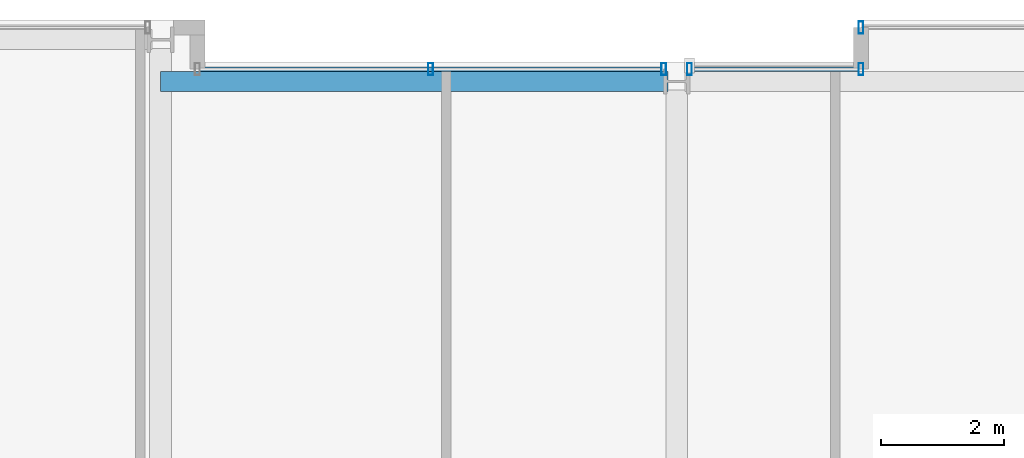
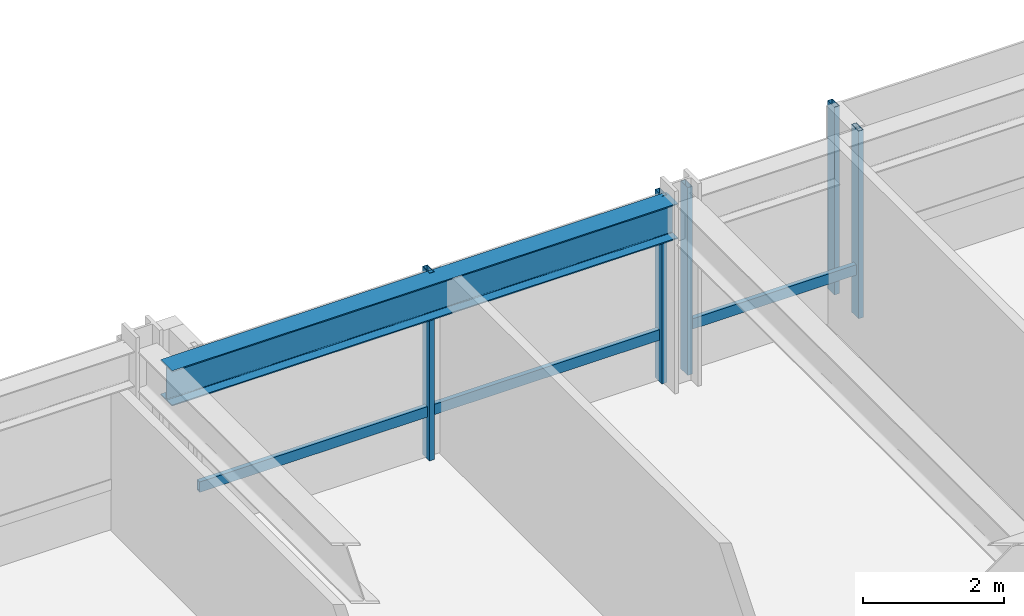
# One storey, part 22 of 35: 7 members, 1 beam, 3 elements without a shape of their own.
"""IFC4 building model written with IfcOpenShell, lengths in metres."""

import ifcopenshell
import ifcopenshell.guid

model = None  # the IFC model being written
_history = None  # IfcOwnerHistory: only IFC2X3 demands one
_inside = {}  # id of a spatial element -> (the spatial element, [elements in it])
_under = {}  # id of a project, library or spatial element -> (it, [spatial elements below it])
_declared = {}  # id of a project -> (the project, [libraries it declares])
_typed = {}  # id of a type object -> (the type object, [elements of that type])
_made_of = {}  # id of a material, layer set ... -> (it, [elements and type objects made of it])


def new_model(schema):
    """Start an empty IFC model of exactly this schema.

    Asked for "IFC4X3", IfcOpenShell would pick the latest addendum, in which some entities
    have other attributes; the version numbers below select the first issue.
    IFC2X3 requires an IfcOwnerHistory on every rooted entity: one is made here for all.
    """
    global model, _history
    if schema == "IFC4X3":
        model = ifcopenshell.file(schema_version=(4, 3, 0, 0))
    else:
        model = ifcopenshell.file(schema=schema)
    _inside.clear()
    _under.clear()
    _declared.clear()
    _typed.clear()
    _made_of.clear()
    _history = None
    if model.schema == "IFC2X3":
        org = make("IfcOrganization", Name="unknown")
        user = make(
            "IfcPersonAndOrganization",
            ThePerson=make("IfcPerson", FamilyName="unknown"),
            TheOrganization=org,
        )
        app = make(
            "IfcApplication",
            ApplicationDeveloper=org,
            Version="unknown",
            ApplicationFullName="unknown",
            ApplicationIdentifier="unknown",
        )
        _history = make(
            "IfcOwnerHistory",
            OwningUser=user,
            OwningApplication=app,
            ChangeAction="ADDED",
            CreationDate=0,
        )
    return model


def make(cls, **values):
    """One entity of the class cls with the attributes given. An attribute that is None is left unset."""
    return model.create_entity(
        cls, **{name: value for name, value in values.items() if value is not None}
    )


def rooted(cls, **values):
    """An entity with a GlobalId (a new one), such as an element, a storey or a relation."""
    return make(cls, GlobalId=ifcopenshell.guid.new(), OwnerHistory=_history, **values)


def si_unit(unit_type, name, prefix=None):
    """IfcSIUnit, for example si_unit("LENGTHUNIT", "METRE", prefix="MILLI")."""
    return make("IfcSIUnit", UnitType=unit_type, Prefix=prefix, Name=name)


def assignment(units):
    """IfcUnitAssignment: the units of a project."""
    return None if units is None else make("IfcUnitAssignment", Units=units)


def point(xyz):
    """IfcCartesianPoint."""
    return None if xyz is None else make("IfcCartesianPoint", Coordinates=xyz)


def direction(xyz):
    """IfcDirection."""
    return None if xyz is None else make("IfcDirection", DirectionRatios=xyz)


def frame(location, z_axis=None, x_axis=None):
    """IfcAxis2Placement3D, a coordinate frame: its origin and axes. An axis left out is left unset."""
    return make(
        "IfcAxis2Placement3D",
        Location=point(location),
        Axis=direction(z_axis),
        RefDirection=direction(x_axis),
    )


def frame_2d(location, x_axis=None):
    """IfcAxis2Placement2D, a coordinate frame in the plane: its origin and x axis."""
    return make(
        "IfcAxis2Placement2D", Location=point(location), RefDirection=direction(x_axis)
    )


def origin():
    """The frame at (0, 0, 0) with its axes left unset."""
    return frame((0.0, 0.0, 0.0))


def origin_2d():
    """The frame at (0, 0) in the plane with its x axis left unset."""
    return frame_2d((0.0, 0.0))


def place(relative_to, where):
    """IfcLocalPlacement: puts the frame where relative to a parent placement (None: the world)."""
    return make(
        "IfcLocalPlacement", PlacementRelTo=relative_to, RelativePlacement=where
    )


def context(
    kind, dimensions, precision=None, world=None, true_north=None, identifier=None
):
    """IfcGeometricRepresentationContext, for example the 3D "Model" context."""
    return make(
        "IfcGeometricRepresentationContext",
        ContextIdentifier=identifier,
        ContextType=kind,
        CoordinateSpaceDimension=dimensions,
        Precision=precision,
        WorldCoordinateSystem=world,
        TrueNorth=true_north,
    )


def subcontext(parent, identifier, kind, view, scale=None):
    """IfcGeometricRepresentationSubContext, for example "Body" below "Model"."""
    return make(
        "IfcGeometricRepresentationSubContext",
        ContextIdentifier=identifier,
        ContextType=kind,
        ParentContext=parent,
        TargetScale=scale,
        TargetView=view,
    )


def project(units=None, contexts=None):
    """IfcProject with its units and contexts."""
    return rooted(
        "IfcProject",
        Name="project",
        RepresentationContexts=contexts,
        UnitsInContext=assignment(units),
    )


def spatial(cls, under=None, at=None, **own):
    """A site, building, storey or space (cls), placed at a placement, below another one or the project."""
    s = rooted(cls, ObjectPlacement=at, **own)
    if under is not None:
        _under.setdefault(under.id(), (under, []))[1].append(s)
    return s


def profile(cls, at=None, kind="AREA", **sizes):
    """A parametric profile (cls). Its sizes go by their IFC names, for example OverallWidth=200.0."""
    return make(cls, ProfileType=kind, Position=at, **sizes)


def hollow_rectangle(**sizes):
    """IfcRectangleHollowProfileDef."""
    return profile("IfcRectangleHollowProfileDef", **sizes)


def i_section(**sizes):
    """IfcIShapeProfileDef."""
    return profile("IfcIShapeProfileDef", **sizes)


def extrude(swept, where, along, depth):
    """IfcExtrudedAreaSolid: the profile swept, set in the frame where, extruded along a direction by depth."""
    return make(
        "IfcExtrudedAreaSolid",
        SweptArea=swept,
        Position=where,
        ExtrudedDirection=direction(along),
        Depth=depth,
    )


def shape(context_of_items, identifier, shape_type, items):
    """IfcShapeRepresentation: the items that make up one representation, for example the "Body"."""
    return make(
        "IfcShapeRepresentation",
        ContextOfItems=context_of_items,
        RepresentationIdentifier=identifier,
        RepresentationType=shape_type,
        Items=items,
    )


def material(Name=None, Category=None):
    """IfcMaterial."""
    return make("IfcMaterial", Name=Name, Category=Category)


def layer(
    of_material, thickness, ventilated=None, Name=None, Category=None, Priority=None
):
    """IfcMaterialLayer: one layer of a wall or slab, of a material (None: an air gap)."""
    return make(
        "IfcMaterialLayer",
        Material=of_material,
        LayerThickness=thickness,
        IsVentilated=ventilated,
        Name=Name,
        Category=Category,
        Priority=Priority,
    )


def layer_set(layers, Name=None):
    """IfcMaterialLayerSet."""
    return make("IfcMaterialLayerSet", MaterialLayers=layers, LayerSetName=Name)


def material_profile(
    of_material, cross_section, Name=None, Category=None, Priority=None
):
    """IfcMaterialProfile: a cross section and its material."""
    return make(
        "IfcMaterialProfile",
        Name=Name,
        Material=of_material,
        Profile=cross_section,
        Priority=Priority,
        Category=Category,
    )


def profile_set(profiles, Name=None, composite=None):
    """IfcMaterialProfileSet."""
    return make(
        "IfcMaterialProfileSet",
        Name=Name,
        MaterialProfiles=profiles,
        CompositeProfile=composite,
    )


def made_of(thing, what):
    """Note that an element or type object is made of a material, layer set ...; save() writes the relation."""
    if what is not None:
        _made_of.setdefault(what.id(), (what, []))[1].append(thing)
    return thing


def type_object(cls, material=None, **own):
    """A type object (cls), such as IfcWallType, which elements share."""
    return made_of(rooted(cls, **own), material)


def element(
    cls,
    number,
    at=None,
    inside=None,
    cuts=None,
    type_object=None,
    material=None,
    context=None,
    identifier="Body",
    shape_type=None,
    held_by="IfcProductDefinitionShape",
    body=None,
    shapes=None,
    **own,
):
    """One element of the class cls, such as IfcWall. Its Tag is "e" and its number.

    at: its placement. inside: the storey or other place that contains it. cuts: it is an
    opening in that element (IfcRelVoidsElement). A single representation is given by context,
    identifier, shape_type and body (its items); several are given by shapes. held_by: the class
    of the entity that holds the representations. save() writes the other relations.
    """
    e = rooted(cls, Tag="e%d" % number, ObjectPlacement=at, **own)
    if body is not None:
        shapes = [shape(context, identifier, shape_type, body)]
    if shapes is not None:
        e.Representation = make(held_by, Representations=shapes)
    if inside is not None:
        _inside.setdefault(inside.id(), (inside, []))[1].append(e)
    if cuts is not None:
        rooted(
            "IfcRelVoidsElement", RelatingBuildingElement=cuts, RelatedOpeningElement=e
        )
    if type_object is not None:
        _typed.setdefault(type_object.id(), (type_object, []))[1].append(e)
    return made_of(e, material)


def aggregate(whole, parts):
    """IfcRelAggregates: a whole, such as a stair, and the parts it consists of."""
    return rooted("IfcRelAggregates", RelatingObject=whole, RelatedObjects=parts)


def save(model, path):
    """Write the relations noted so far, then the file.

    IfcRelAggregates (storeys below a building ...), IfcRelContainedInSpatialStructure (elements
    in a storey), IfcRelDefinesByType, IfcRelAssociatesMaterial and IfcRelDeclares: one each for
    every whole, place, type object, material and project.
    """
    for whole, parts in _under.values():
        aggregate(whole, parts)
    for where, things in _inside.values():
        rooted(
            "IfcRelContainedInSpatialStructure",
            RelatedElements=things,
            RelatingStructure=where,
        )
    for kind, things in _typed.values():
        rooted("IfcRelDefinesByType", RelatedObjects=things, RelatingType=kind)
    for what, things in _made_of.values():
        rooted("IfcRelAssociatesMaterial", RelatedObjects=things, RelatingMaterial=what)
    for by, libraries in _declared.values():
        rooted("IfcRelDeclares", RelatingContext=by, RelatedDefinitions=libraries)
    model.write(path)


model = new_model("IFC4")

# Units and contexts
model_context = context("Model", 3, precision=1e-05, world=origin(), true_north=direction((0.0, 1.0)))
body_context = subcontext(model_context, "Body", "Model", "MODEL_VIEW")
ifc_project = project(units=[si_unit("LENGTHUNIT", "METRE"), si_unit("AREAUNIT", "SQUARE_METRE"), si_unit("VOLUMEUNIT", "CUBIC_METRE"), si_unit("PLANEANGLEUNIT", "RADIAN"), si_unit("MASSUNIT", "GRAM", prefix="KILO")], contexts=[model_context])

# Site, building, storey
site_placement = place(None, origin())
site = spatial("IfcSite", under=ifc_project, at=site_placement, CompositionType="ELEMENT")
building_placement = place(site_placement, origin())
building = spatial("IfcBuilding", under=site, at=building_placement, Name="Drelvath Grand Hotel", CompositionType="ELEMENT")
storey_placement = place(building_placement, frame((0.0, 0.0, 130.300048828125)))
storey = spatial("IfcBuildingStorey", under=building, at=storey_placement, Name="L33", CompositionType="ELEMENT", Elevation=130.300048828125)

# Curtain wall, member
ifc_material_1 = material(Name="Champagne Bronze Anodised Aluminium Frame", Category="aluminium")
ifc_layer = layer(ifc_material_1, 0.199951171875)
ifc_layer_set = layer_set([ifc_layer], Name="Champagne Bronze Anodised Aluminium Frame")
curtain_wall_type = type_object("IfcCurtainWallType", Name="Stick Curtain Wall CW-03 Champagne Bronze Mid-Rise", PredefinedType="NOTDEFINED", material=ifc_layer_set)
curtain_wall_1_placement = place(storey_placement, origin())
curtain_wall_1 = element("IfcCurtainWall", 1, at=curtain_wall_1_placement, inside=storey, type_object=curtain_wall_type, Name="L33 CW-03 Curtain Wall CW03-L33-NM1", PredefinedType="NOTDEFINED")
ifc_material_profile_1 = material_profile(ifc_material_1, hollow_rectangle(XDim=0.074951171875, YDim=0.179931640625, WallThickness=0.0048828125, at=origin_2d()), Name="HSS180X75X5")
ifc_profile_set_1 = profile_set([ifc_material_profile_1], Name="Champagne Bronze Anodised Aluminium Frame")
member_type_1 = type_object("IfcMemberType", Name="Curtain Wall Horizontal Transom CW-03 HSS180X75X5", PredefinedType="USERDEFINED", material=ifc_profile_set_1)
member_1_placement = place(storey_placement, frame((-7.760009765625, 53.199951171875, 0.81005859375), z_axis=(1.0, 0.0, 0.0), x_axis=(0.0, 1.0, 0.0)))
member_1 = element("IfcMember", 2, at=member_1_placement, type_object=member_type_1, Name="CW03-L33-NM1 Sill Transom", ObjectType="TRANSOM", PredefinedType="USERDEFINED", context=body_context, shape_type="SweptSolid", body=[
    extrude(hollow_rectangle(XDim=0.074951171875, YDim=0.179931640625, WallThickness=0.0048828125, at=origin_2d()), origin(), (0.0, 0.0, 1.0), 7.510498046875),
])

curtain_wall_2_placement = place(storey_placement, origin())
curtain_wall_2 = element("IfcCurtainWall", 3, at=curtain_wall_2_placement, inside=storey, type_object=curtain_wall_type, Name="L33 CW-03 Curtain Wall CW03-L33-NM2", PredefinedType="NOTDEFINED")
member_2_placement = place(storey_placement, frame((0.24951171875, 53.199951171875, 0.81005859375), z_axis=(1.0, 0.0, 0.0), x_axis=(0.0, 1.0, 0.0)))
member_2 = element("IfcMember", 4, at=member_2_placement, type_object=member_type_1, Name="CW03-L33-NM2 Sill Transom", ObjectType="TRANSOM", PredefinedType="USERDEFINED", context=body_context, shape_type="SweptSolid", body=[
    extrude(hollow_rectangle(XDim=0.074951171875, YDim=0.179931640625, WallThickness=0.0048828125, at=origin_2d()), origin(), (0.0, 0.0, 1.0), 2.71044921875),
])

# Member
ifc_material_profile_2 = material_profile(ifc_material_1, hollow_rectangle(XDim=0.080078125, YDim=0.199951171875, WallThickness=0.0048828125, at=origin_2d()), Name="HSS200X80X5")
ifc_profile_set_2 = profile_set([ifc_material_profile_2], Name="Champagne Bronze Anodised Aluminium Frame")
member_type_2 = type_object("IfcMemberType", Name="Curtain Wall Vertical Mullion CW-03 HSS200X80X5", PredefinedType="MULLION", material=ifc_profile_set_2)
member_3_placement = place(storey_placement, frame((-4.004638671875, 53.199951171875, 0.0), z_axis=(0.0, 0.0, 1.0), x_axis=(1.0, 0.0, 0.0)))
member_3 = element("IfcMember", 5, at=member_3_placement, type_object=member_type_2, Name="CW03-L33-NM1 Mullion 2", PredefinedType="MULLION", context=body_context, shape_type="SweptSolid", body=[
    extrude(hollow_rectangle(XDim=0.080078125, YDim=0.199951171875, WallThickness=0.0048828125, at=origin_2d()), origin(), (0.0, 0.0, 1.0), 3.239990234375),
])

member_4_placement = place(storey_placement, frame((-0.20947265625, 53.199951171875, 0.0), z_axis=(0.0, 0.0, 1.0), x_axis=(1.0, 0.0, 0.0)))
member_4 = element("IfcMember", 6, at=member_4_placement, type_object=member_type_2, Name="CW03-L33-NM1 Mullion 3", PredefinedType="MULLION", context=body_context, shape_type="SweptSolid", body=[
    extrude(hollow_rectangle(XDim=0.080078125, YDim=0.199951171875, WallThickness=0.0048828125, at=origin_2d()), origin(), (0.0, 0.0, 1.0), 3.239990234375),
])

aggregate(curtain_wall_1, [member_3, member_4, member_1])

member_5_placement = place(storey_placement, frame((0.20947265625, 53.199951171875, 0.0), z_axis=(0.0, 0.0, 1.0), x_axis=(1.0, 0.0, 0.0)))
member_5 = element("IfcMember", 7, at=member_5_placement, type_object=member_type_2, Name="CW03-L33-NM2 Mullion 1", PredefinedType="MULLION", context=body_context, shape_type="SweptSolid", body=[
    extrude(hollow_rectangle(XDim=0.080078125, YDim=0.199951171875, WallThickness=0.0048828125, at=origin_2d()), origin(), (0.0, 0.0, 1.0), 3.239990234375),
])

member_6_placement = place(storey_placement, frame((3.0, 53.199951171875, 0.0), z_axis=(0.0, 0.0, 1.0), x_axis=(1.0, 0.0, 0.0)))
member_6 = element("IfcMember", 8, at=member_6_placement, type_object=member_type_2, Name="CW03-L33-NM2 Mullion 2", PredefinedType="MULLION", context=body_context, shape_type="SweptSolid", body=[
    extrude(hollow_rectangle(XDim=0.080078125, YDim=0.199951171875, WallThickness=0.0048828125, at=origin_2d()), origin(), (0.0, 0.0, 1.0), 3.239990234375),
])

aggregate(curtain_wall_2, [member_5, member_6, member_2])

# Curtain wall, member
curtain_wall_3_placement = place(storey_placement, origin())
curtain_wall_3 = element("IfcCurtainWall", 9, at=curtain_wall_3_placement, inside=storey, type_object=curtain_wall_type, Name="L33 CW-03 Curtain Wall CW03-L33-NE1", PredefinedType="NOTDEFINED")
member_7_placement = place(storey_placement, frame((3.0, 53.8798828125, 0.0), z_axis=(0.0, 0.0, 1.0), x_axis=(1.0, 0.0, 0.0)))
member_7 = element("IfcMember", 10, at=member_7_placement, type_object=member_type_2, Name="CW03-L33-NE1 Mullion 1", PredefinedType="MULLION", context=body_context, shape_type="SweptSolid", body=[
    extrude(hollow_rectangle(XDim=0.080078125, YDim=0.199951171875, WallThickness=0.0048828125, at=origin_2d()), origin(), (0.0, 0.0, 1.0), 3.239990234375),
])
aggregate(curtain_wall_3, [member_7])

# Beam
ifc_material_2 = material(Name="Steel ASTM A992 Gr 50", Category="steel")
ifc_material_profile_3 = material_profile(ifc_material_2, i_section(OverallWidth=0.323974609375, OverallDepth=0.611083984375, WebThickness=0.0126953125, FlangeThickness=0.01904296875, FilletRadius=0.02197265625, at=origin_2d()), Name="W24X104")
ifc_profile_set_3 = profile_set([ifc_material_profile_3], Name="Steel ASTM A992 Gr 50")
beam_type = type_object("IfcBeamType", Name="Perimeter Spandrel Beam W24X104", PredefinedType="SPANDREL", material=ifc_profile_set_3)
beam_placement = place(storey_placement, frame((-8.39990234375, 53.0, 2.934326171875), z_axis=(1.0, 0.0, 0.0), x_axis=(0.0, 1.0, 0.0)))
element("IfcBeam", 11, at=beam_placement, inside=storey, type_object=beam_type, Name="L33 Spandrel North Mid W", PredefinedType="SPANDREL", context=body_context, shape_type="SweptSolid", body=[
    extrude(i_section(OverallWidth=0.323974609375, OverallDepth=0.611083984375, WebThickness=0.0126953125, FlangeThickness=0.01904296875, FilletRadius=0.02197265625, at=origin_2d()), origin(), (0.0, 0.0, 1.0), 8.260009765625),
])

save(model, "model.ifc")
